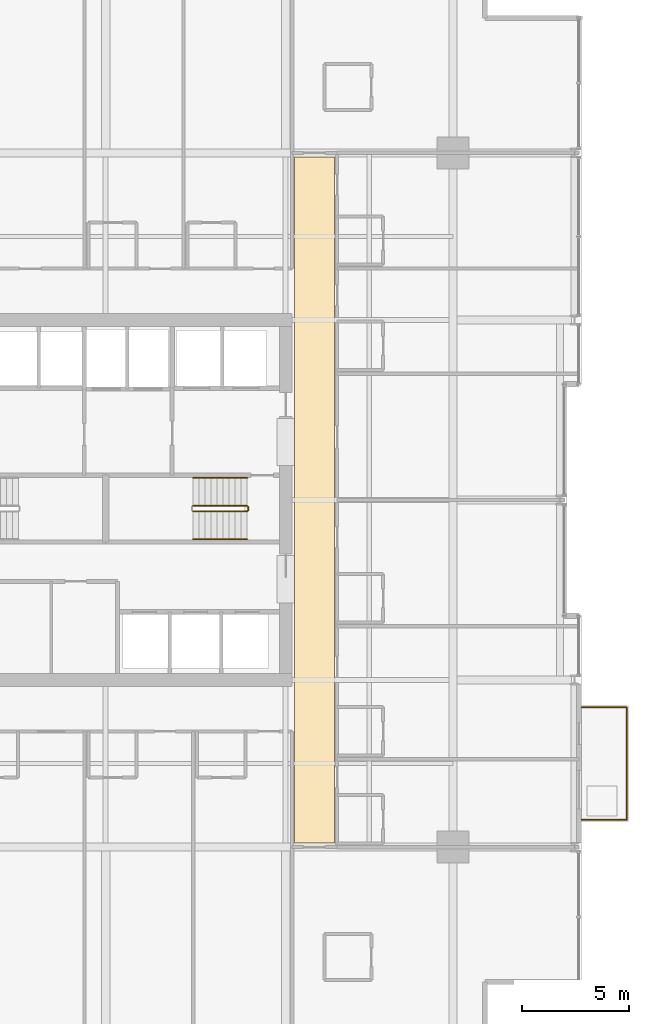
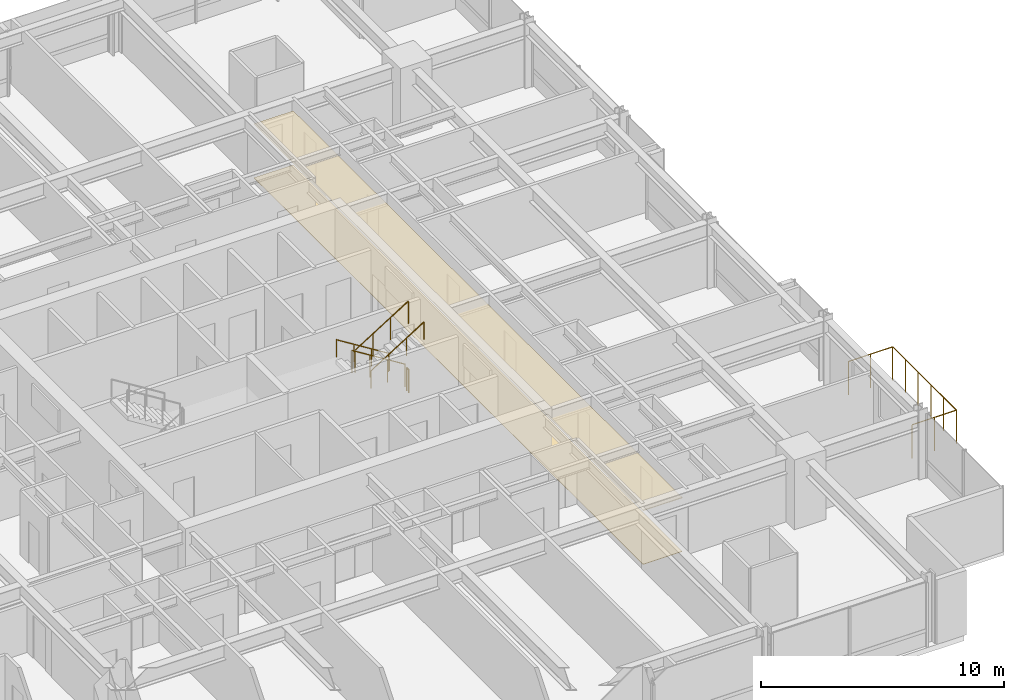
# One storey, part 34 of 35: 6 railings, 2 coverings.
"""IFC4 building model written with IfcOpenShell, lengths in metres."""

from ifc_helpers import new_model, si_unit, direction, frame, origin, origin_2d, place, context, subcontext, project, spatial, polyline, circle, outline, extrude, material, layer, layer_set, type_object, element, save


model = new_model("IFC4")

# Units and contexts
model_context = context("Model", 3, precision=1e-05, world=origin(), true_north=direction((0.0, 1.0)))
body_context = subcontext(model_context, "Body", "Model", "MODEL_VIEW")
ifc_project = project(units=[si_unit("LENGTHUNIT", "METRE"), si_unit("AREAUNIT", "SQUARE_METRE"), si_unit("VOLUMEUNIT", "CUBIC_METRE"), si_unit("PLANEANGLEUNIT", "RADIAN"), si_unit("MASSUNIT", "GRAM", prefix="KILO")], contexts=[model_context])

# Site, building, storey
site_placement = place(None, origin())
site = spatial("IfcSite", under=ifc_project, at=site_placement, CompositionType="ELEMENT")
building_placement = place(site_placement, origin())
building = spatial("IfcBuilding", under=site, at=building_placement, Name="Drelvath Grand Hotel", CompositionType="ELEMENT")
storey_placement = place(building_placement, frame((0.0, 0.0, 98.800048828125)))
storey = spatial("IfcBuildingStorey", under=building, at=storey_placement, Name="L24", CompositionType="ELEMENT", Elevation=98.800048828125)

# Railings
ifc_material_1 = material(Name="Painted Steel S275", Category="steel")
railing_type_1 = type_object("IfcRailingType", Name="Core Stair Wall Handrail 900", PredefinedType="HANDRAIL", material=ifc_material_1)
railing_1_placement = place(storey_placement, frame((6.60009765625, 28.030029296875, 0.175048828125)))
element("IfcRailing", 1, at=railing_1_placement, inside=storey, type_object=railing_type_1, Name="L24 ST-2 stair handrail 1", PredefinedType="HANDRAIL", context=body_context, shape_type="SweptSolid", body=[
    extrude(circle(Radius=0.02392578125, at=origin_2d()), frame((0.0, 0.0, 0.8759765625), z_axis=(-0.848007534815, 0.0, 0.529984170421), x_axis=(0.0, -1.0, 0.0)), (0.0, 0.0, 1.0), 2.9716796875),
    extrude(circle(Radius=0.02099609375, at=origin_2d()), origin(), (0.0, 0.0, 1.0), 0.851806640625),
    extrude(circle(Radius=0.02099609375, at=origin_2d()), frame((-0.840087890625, 0.0, 0.52490234375)), (0.0, 0.0, 1.0), 0.851806640625),
    extrude(circle(Radius=0.02099609375, at=origin_2d()), frame((-1.679931640625, 0.0, 1.050048828125)), (0.0, 0.0, 1.0), 0.851806640625),
    extrude(circle(Radius=0.02099609375, at=origin_2d()), frame((-2.52001953125, 0.0, 1.574951171875)), (0.0, 0.0, 1.0), 0.851806640625),
])
railing_2_placement = place(storey_placement, frame((4.080078125, 25.169921875, 1.925048828125)))
element("IfcRailing", 2, at=railing_2_placement, inside=storey, type_object=railing_type_1, Name="L24 ST-2 stair handrail 2", PredefinedType="HANDRAIL", context=body_context, shape_type="SweptSolid", body=[
    extrude(circle(Radius=0.02392578125, at=origin_2d()), frame((0.0, 0.0, 0.8759765625), z_axis=(0.848007534815, 0.0, 0.529984170421), x_axis=(0.0, 1.0, 0.0)), (0.0, 0.0, 1.0), 2.9716796875),
    extrude(circle(Radius=0.02099609375, at=origin_2d()), origin(), (0.0, 0.0, 1.0), 0.851806640625),
    extrude(circle(Radius=0.02099609375, at=origin_2d()), frame((0.840087890625, 0.0, 0.52490234375)), (0.0, 0.0, 1.0), 0.851806640625),
    extrude(circle(Radius=0.02099609375, at=origin_2d()), frame((1.679931640625, 0.0, 1.050048828125)), (0.0, 0.0, 1.0), 0.851806640625),
    extrude(circle(Radius=0.02099609375, at=origin_2d()), frame((2.52001953125, 0.0, 1.574951171875)), (0.0, 0.0, 1.0), 0.851806640625),
])
railing_type_2 = type_object("IfcRailingType", Name="Core Stair Well Guardrail 1100", PredefinedType="GUARDRAIL", material=ifc_material_1)
railing_3_placement = place(storey_placement, frame((6.60009765625, 26.72998046875, 0.175048828125)))
element("IfcRailing", 3, at=railing_3_placement, inside=storey, type_object=railing_type_2, Name="L24 ST-2 stair guard 1", PredefinedType="GUARDRAIL", context=body_context, shape_type="SweptSolid", body=[
    extrude(circle(Radius=0.02392578125, at=origin_2d()), frame((0.0, 0.0, 1.1259765625), z_axis=(-0.848007534815, 0.0, 0.529984170421), x_axis=(0.0, -1.0, 0.0)), (0.0, 0.0, 1.0), 2.9716796875),
    extrude(circle(Radius=0.02099609375, at=origin_2d()), origin(), (0.0, 0.0, 1.0), 1.101806640625),
    extrude(circle(Radius=0.02099609375, at=origin_2d()), frame((-0.840087890625, 0.0, 0.52490234375)), (0.0, 0.0, 1.0), 1.101806640625),
    extrude(circle(Radius=0.02099609375, at=origin_2d()), frame((-1.679931640625, 0.0, 1.050048828125)), (0.0, 0.0, 1.0), 1.101806640625),
    extrude(circle(Radius=0.02099609375, at=origin_2d()), frame((-2.52001953125, 0.0, 1.574951171875)), (0.0, 0.0, 1.0), 1.101806640625),
])
railing_4_placement = place(storey_placement, frame((4.080078125, 26.469970703125, 1.925048828125)))
element("IfcRailing", 4, at=railing_4_placement, inside=storey, type_object=railing_type_2, Name="L24 ST-2 stair guard 3", PredefinedType="GUARDRAIL", context=body_context, shape_type="SweptSolid", body=[
    extrude(circle(Radius=0.02392578125, at=origin_2d()), frame((0.0, 0.0, 1.1259765625), z_axis=(0.848007534815, 0.0, 0.529984170421), x_axis=(0.0, 1.0, 0.0)), (0.0, 0.0, 1.0), 2.9716796875),
    extrude(circle(Radius=0.02099609375, at=origin_2d()), origin(), (0.0, 0.0, 1.0), 1.101806640625),
    extrude(circle(Radius=0.02099609375, at=origin_2d()), frame((0.840087890625, 0.0, 0.52490234375)), (0.0, 0.0, 1.0), 1.101806640625),
    extrude(circle(Radius=0.02099609375, at=origin_2d()), frame((1.679931640625, 0.0, 1.050048828125)), (0.0, 0.0, 1.0), 1.101806640625),
    extrude(circle(Radius=0.02099609375, at=origin_2d()), frame((2.52001953125, 0.0, 1.574951171875)), (0.0, 0.0, 1.0), 1.101806640625),
])
railing_5_placement = place(storey_placement, frame((6.64990234375, 26.679931640625, 0.0)))
element("IfcRailing", 5, at=railing_5_placement, inside=storey, type_object=railing_type_2, Name="L24 ST-2 stair guard 4", PredefinedType="GUARDRAIL", context=body_context, shape_type="SweptSolid", body=[
    extrude(circle(Radius=0.02392578125, at=origin_2d()), frame((0.0, 0.0, 1.1259765625), z_axis=(0.0, -1.0, 0.0), x_axis=(1.0, 0.0, 0.0)), (0.0, 0.0, 1.0), 0.159912109375),
    extrude(circle(Radius=0.02099609375, at=origin_2d()), origin(), (0.0, 0.0, 1.0), 1.101806640625),
    extrude(circle(Radius=0.02099609375, at=origin_2d()), frame((0.0, -0.159912109375, 0.0)), (0.0, 0.0, 1.0), 1.101806640625),
])

# Coverings
ifc_material_2 = material(Name="Woven Wool Broadloom Carpet")
ifc_layer_1 = layer(ifc_material_2, 0.01806640625)
ifc_layer_set_1 = layer_set([ifc_layer_1], Name="Woven Wool Broadloom Carpet")
covering_type_1 = type_object("IfcCoveringType", Name="Hospitality Broadloom Carpet 18", PredefinedType="FLOORING", material=ifc_layer_set_1)
covering_1_placement = place(storey_placement, origin())
element("IfcCovering", 6, at=covering_1_placement, inside=storey, type_object=covering_type_1, Name="L24 East Spine Carpet", PredefinedType="FLOORING", context=body_context, shape_type="SweptSolid", body=[
    extrude(outline(polyline([(10.679931640625, 11.0), (10.679931640625, 43.0), (8.820068359375, 43.0), (8.820068359375, 11.0), (10.679931640625, 11.0)])), origin(), (0.0, 0.0, 1.0), 0.01806640625),
])
ifc_material_3 = material(Name="Anodised Aluminium Alloy", Category="aluminium")
ifc_layer_2 = layer(ifc_material_3, 0.0400390625)
ifc_layer_set_2 = layer_set([ifc_layer_2], Name="Anodised Aluminium Alloy")
covering_type_2 = type_object("IfcCoveringType", Name="Perforated Metal Corridor Ceiling 40", PredefinedType="CEILING", material=ifc_layer_set_2)
covering_2_placement = place(storey_placement, frame((0.0, 0.0, 2.68994140625)))
element("IfcCovering", 7, at=covering_2_placement, inside=storey, type_object=covering_type_2, Name="L24 East Spine Ceiling", PredefinedType="CEILING", context=body_context, shape_type="SweptSolid", body=[
    extrude(outline(polyline([(10.679931640625, 11.0), (10.679931640625, 43.0), (8.820068359375, 43.0), (8.820068359375, 11.0), (10.679931640625, 11.0)])), origin(), (0.0, 0.0, 1.0), 0.0400390625),
])

# Railing
ifc_material_4 = material(Name="Anodised Aluminium and Laminated Glass Balustrade", Category="aluminium")
railing_type_3 = type_object("IfcRailingType", Name="Raised Planter Edge Balustrade 1700", PredefinedType="BALUSTRADE", material=ifc_material_4)
railing_6_placement = place(storey_placement, frame((22.219970703125, 12.080078125, 0.0)))
element("IfcRailing", 8, at=railing_6_placement, inside=storey, type_object=railing_type_3, Name="L24 Tree Balcony Perimeter Balustrade 1", PredefinedType="BALUSTRADE", context=body_context, shape_type="SweptSolid", body=[
    extrude(circle(Radius=0.02392578125, at=origin_2d()), frame((0.0, 0.0, 1.67578125), z_axis=(1.0, 0.0, 0.0), x_axis=(0.0, 1.0, 0.0)), (0.0, 0.0, 1.0), 2.10009765625),
    extrude(circle(Radius=0.02392578125, at=origin_2d()), frame((2.10009765625, 0.0, 1.67578125), z_axis=(0.0, 1.0, 0.0), x_axis=(-1.0, 0.0, 0.0)), (0.0, 0.0, 1.0), 5.239990234375),
    extrude(circle(Radius=0.02392578125, at=origin_2d()), frame((2.10009765625, 5.239990234375, 1.67578125), z_axis=(-1.0, 0.0, 0.0), x_axis=(0.0, -1.0, 0.0)), (0.0, 0.0, 1.0), 2.10009765625),
    extrude(circle(Radius=0.02099609375, at=origin_2d()), origin(), (0.0, 0.0, 1.0), 1.65185546875),
    extrude(circle(Radius=0.02099609375, at=origin_2d()), frame((1.050048828125, 0.0, 0.0)), (0.0, 0.0, 1.0), 1.65185546875),
    extrude(circle(Radius=0.02099609375, at=origin_2d()), frame((2.10009765625, 0.0, 0.0)), (0.0, 0.0, 1.0), 1.65185546875),
    extrude(circle(Radius=0.02099609375, at=origin_2d()), frame((2.10009765625, 1.048095703125, 0.0)), (0.0, 0.0, 1.0), 1.65185546875),
    extrude(circle(Radius=0.02099609375, at=origin_2d()), frame((2.10009765625, 2.095947265625, 0.0)), (0.0, 0.0, 1.0), 1.65185546875),
    extrude(circle(Radius=0.02099609375, at=origin_2d()), frame((2.10009765625, 3.14404296875, 0.0)), (0.0, 0.0, 1.0), 1.65185546875),
    extrude(circle(Radius=0.02099609375, at=origin_2d()), frame((2.10009765625, 4.19189453125, 0.0)), (0.0, 0.0, 1.0), 1.65185546875),
    extrude(circle(Radius=0.02099609375, at=origin_2d()), frame((2.10009765625, 5.239990234375, 0.0)), (0.0, 0.0, 1.0), 1.65185546875),
    extrude(circle(Radius=0.02099609375, at=origin_2d()), frame((1.050048828125, 5.239990234375, 0.0)), (0.0, 0.0, 1.0), 1.65185546875),
    extrude(circle(Radius=0.02099609375, at=origin_2d()), frame((0.0, 5.239990234375, 0.0)), (0.0, 0.0, 1.0), 1.65185546875),
])

save(model, "model.ifc")
